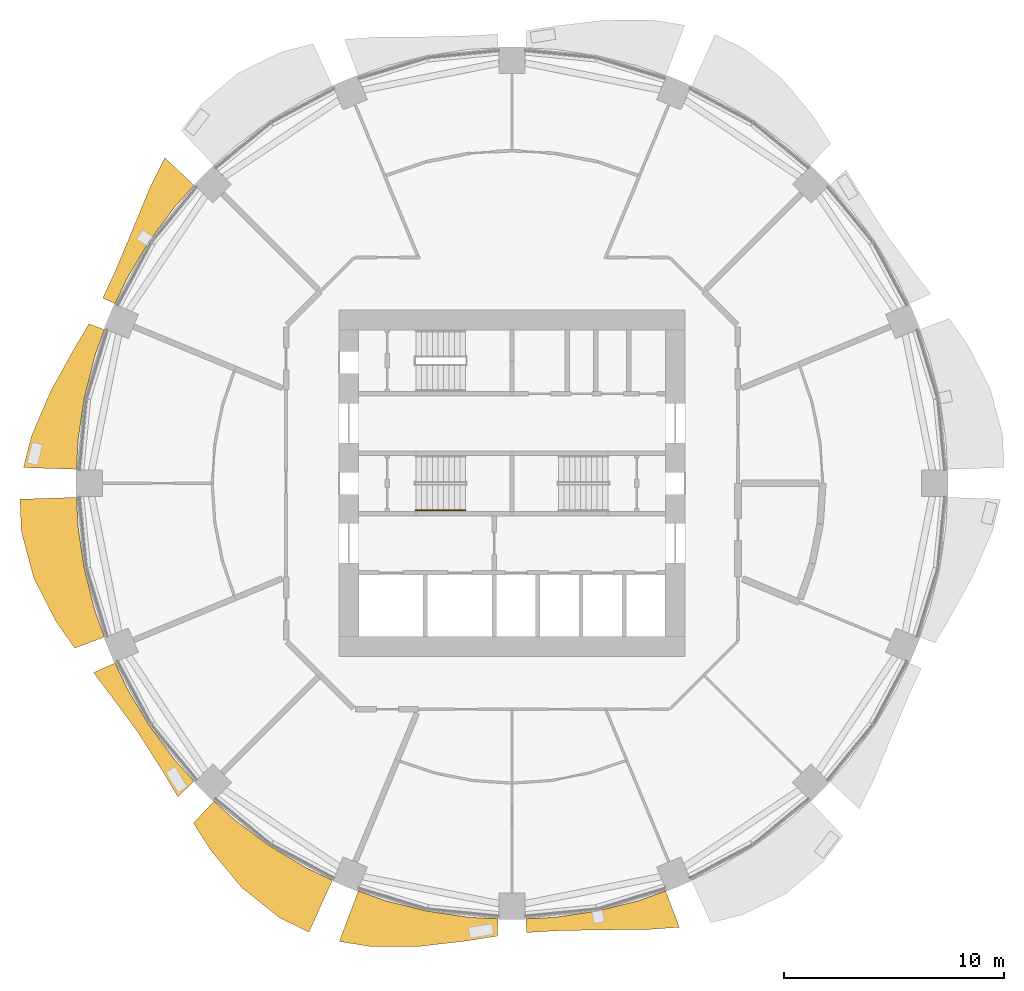
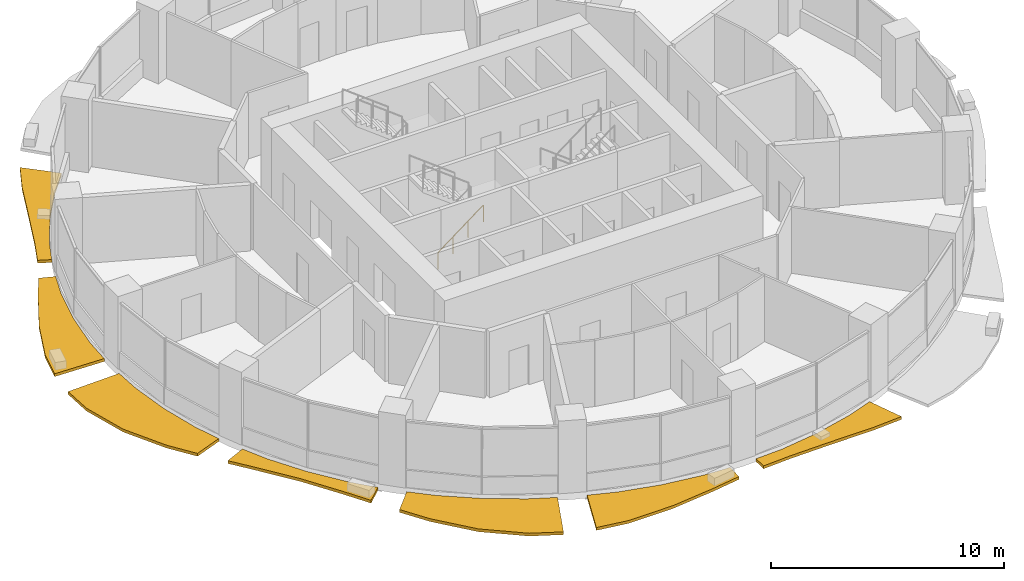
# One storey, part 12 of 15: 7 shading devices, 1 railing.
"""IFC4 building model written with IfcOpenShell, lengths in metres."""

from ifc_helpers import new_model, si_unit, direction, frame, origin, origin_2d, place, context, subcontext, project, spatial, polyline, circle, outline, extrude, material, type_object, element, save


model = new_model("IFC4")

# Units and contexts
model_context = context("Model", 3, precision=1e-05, world=origin(), true_north=direction((0.0, 1.0)))
body_context = subcontext(model_context, "Body", "Model", "MODEL_VIEW")
ifc_project = project(units=[si_unit("LENGTHUNIT", "METRE"), si_unit("AREAUNIT", "SQUARE_METRE"), si_unit("VOLUMEUNIT", "CUBIC_METRE"), si_unit("PLANEANGLEUNIT", "RADIAN"), si_unit("MASSUNIT", "GRAM", prefix="KILO")], contexts=[model_context])

# Site, building, storey
site_placement = place(None, origin())
site = spatial("IfcSite", under=ifc_project, at=site_placement, CompositionType="ELEMENT")
building_placement = place(site_placement, origin())
building = spatial("IfcBuilding", under=site, at=building_placement, Name="Polderwave Tower", CompositionType="ELEMENT")
storey_placement = place(building_placement, frame((0.0, 0.0, 22.39990234375)))
storey = spatial("IfcBuildingStorey", under=building, at=storey_placement, Name="L05", CompositionType="ELEMENT", Elevation=22.39990234375)

# Railing
ifc_material_1 = material(Name="Stainless steel", Category="steel")
railing_type = type_object("IfcRailingType", Name="Stair handrail 900", PredefinedType="HANDRAIL", material=ifc_material_1)
railing_placement = place(storey_placement, frame((-4.3740234375, -1.22509765625, 0.190185546875)))
element("IfcRailing", 1, at=railing_placement, inside=storey, type_object=railing_type, Name="L05 ST-A stair handrail 1", PredefinedType="HANDRAIL", context=body_context, shape_type="SweptSolid", body=[
    extrude(circle(Radius=0.02392578125, at=origin_2d()), frame((0.0, 0.0, 0.8759765625), z_axis=(0.796168852927, 0.0, 0.605074505849), x_axis=(0.0, 1.0, 0.0)), (0.0, 0.0, 1.0), 2.825927734375),
    extrude(circle(Radius=0.02099609375, at=origin_2d()), origin(), (0.0, 0.0, 1.0), 0.851806640625),
    extrude(circle(Radius=0.02099609375, at=origin_2d()), frame((0.75, 0.0, 0.570068359375)), (0.0, 0.0, 1.0), 0.851806640625),
    extrude(circle(Radius=0.02099609375, at=origin_2d()), frame((1.5, 0.0, 1.139892578125)), (0.0, 0.0, 1.0), 0.851806640625),
    extrude(circle(Radius=0.02099609375, at=origin_2d()), frame((2.25, 0.0, 1.7099609375)), (0.0, 0.0, 1.0), 0.851806640625),
])

# Shading devices
ifc_material_2 = material(Name="Terracotta", Category="masonry")
shading_device_type = type_object("IfcShadingDeviceType", Name="Terracotta sunshade band", PredefinedType="USERDEFINED", material=ifc_material_2)
shading_device_1_placement = place(storey_placement, frame((0.0, 0.0, -0.349853515625)))
element("IfcShadingDevice", 2, at=shading_device_1_placement, inside=storey, type_object=shading_device_type, Name="Sunshade band L05 7", ObjectType="SUNSHADE", PredefinedType="USERDEFINED", context=body_context, shape_type="SweptSolid", body=[
    extrude(outline(polyline([(-14.45068359375, 13.548828125), (-15.328857421875, 12.580078125), (-16.488037109375, 11.01708984375), (-17.488525390625, 9.347900390625), (-18.047607421875, 8.165771484375), (-18.6064453125, 8.418701171875), (-18.041259765625, 9.643310546875), (-17.251953125, 11.52734375), (-16.44189453125, 13.49365234375), (-15.787841796875, 14.802734375), (-14.45068359375, 13.548828125)])), origin(), (0.0, 0.0, 1.0), 0.14990234375),
])
shading_device_2_placement = place(storey_placement, frame((0.0, 0.0, -0.349853515625)))
element("IfcShadingDevice", 3, at=shading_device_2_placement, inside=storey, type_object=shading_device_type, Name="Sunshade band L05 8", ObjectType="SUNSHADE", PredefinedType="USERDEFINED", context=body_context, shape_type="SweptSolid", body=[
    extrude(outline(polyline([(-18.53564453125, 6.987548828125), (-18.97607421875, 5.75634765625), (-19.448974609375, 3.86865234375), (-19.734619140625, 1.943603515625), (-19.798583984375, 0.6376953125), (-22.210205078125, 0.71533203125), (-21.849609375, 2.152099609375), (-20.983154296875, 4.173828125), (-19.947509765625, 6.051025390625), (-19.235107421875, 7.251220703125), (-18.53564453125, 6.987548828125)])), origin(), (0.0, 0.0, 1.0), 0.14990234375),
])
shading_device_3_placement = place(storey_placement, frame((0.0, 0.0, -0.349853515625)))
element("IfcShadingDevice", 4, at=shading_device_3_placement, inside=storey, type_object=shading_device_type, Name="Sunshade band L05 9", ObjectType="SUNSHADE", PredefinedType="USERDEFINED", context=body_context, shape_type="SweptSolid", body=[
    extrude(outline(polyline([(-19.798583984375, -0.6376953125), (-19.734619140625, -1.943603515625), (-19.448974609375, -3.86865234375), (-18.97607421875, -5.75634765625), (-18.53564453125, -6.987548828125), (-19.880126953125, -7.494384765625), (-20.727294921875, -6.28759765625), (-21.736083984375, -4.323486328125), (-22.30908203125, -2.197265625), (-22.369873046875, -0.720458984375), (-19.798583984375, -0.6376953125)])), origin(), (0.0, 0.0, 1.0), 0.14990234375),
])
shading_device_4_placement = place(storey_placement, frame((0.0, 0.0, -0.349853515625)))
element("IfcShadingDevice", 5, at=shading_device_4_placement, inside=storey, type_object=shading_device_type, Name="Sunshade band L05 10", ObjectType="SUNSHADE", PredefinedType="USERDEFINED", context=body_context, shape_type="SweptSolid", body=[
    extrude(outline(polyline([(-18.047607421875, -8.165771484375), (-17.488525390625, -9.347900390625), (-16.488037109375, -11.01708984375), (-15.328857421875, -12.580078125), (-14.45068359375, -13.548828125), (-15.193115234375, -14.244873046875), (-15.907958984375, -13.055419921875), (-16.987548828125, -11.3505859375), (-18.184326171875, -9.7197265625), (-19.029052734375, -8.60986328125), (-18.047607421875, -8.165771484375)])), origin(), (0.0, 0.0, 1.0), 0.14990234375),
])
shading_device_5_placement = place(storey_placement, frame((0.0, 0.0, -0.349853515625)))
element("IfcShadingDevice", 6, at=shading_device_5_placement, inside=storey, type_object=shading_device_type, Name="Sunshade band L05 11", ObjectType="SUNSHADE", PredefinedType="USERDEFINED", context=body_context, shape_type="SweptSolid", body=[
    extrude(outline(polyline([(-13.548828125, -14.45068359375), (-12.580078125, -15.328857421875), (-11.01708984375, -16.488037109375), (-9.347900390625, -17.488525390625), (-8.165771484375, -18.047607421875), (-9.23193359375, -20.404296875), (-10.560791015625, -19.7578125), (-12.284423828125, -18.385009765625), (-13.696533203125, -16.689208984375), (-14.48388671875, -15.44775390625), (-13.548828125, -14.45068359375)])), origin(), (0.0, 0.0, 1.0), 0.14990234375),
])
shading_device_6_placement = place(storey_placement, frame((0.0, 0.0, -0.349853515625)))
element("IfcShadingDevice", 7, at=shading_device_6_placement, inside=storey, type_object=shading_device_type, Name="Sunshade band L05 12", ObjectType="SUNSHADE", PredefinedType="USERDEFINED", context=body_context, shape_type="SweptSolid", body=[
    extrude(outline(polyline([(-6.987548828125, -18.53564453125), (-5.75634765625, -18.97607421875), (-3.86865234375, -19.448974609375), (-1.943603515625, -19.734619140625), (-0.6376953125, -19.798583984375), (-0.6630859375, -20.58544921875), (-2.049072265625, -20.803955078125), (-4.187744140625, -21.05322265625), (-6.390625, -21.06689453125), (-7.8525390625, -20.830322265625), (-6.987548828125, -18.53564453125)])), origin(), (0.0, 0.0, 1.0), 0.14990234375),
])
shading_device_7_placement = place(storey_placement, frame((0.0, 0.0, -0.349853515625)))
element("IfcShadingDevice", 8, at=shading_device_7_placement, inside=storey, type_object=shading_device_type, Name="Sunshade band L05 13", ObjectType="SUNSHADE", PredefinedType="USERDEFINED", context=body_context, shape_type="SweptSolid", body=[
    extrude(outline(polyline([(0.6376953125, -19.798583984375), (1.943603515625, -19.734619140625), (3.86865234375, -19.448974609375), (5.75634765625, -18.97607421875), (6.987548828125, -18.53564453125), (7.609375, -20.185302734375), (6.154052734375, -20.287109375), (4.0380859375, -20.30029296875), (2.00390625, -20.344482421875), (0.65771484375, -20.42578125), (0.6376953125, -19.798583984375)])), origin(), (0.0, 0.0, 1.0), 0.14990234375),
])

save(model, "model.ifc")
